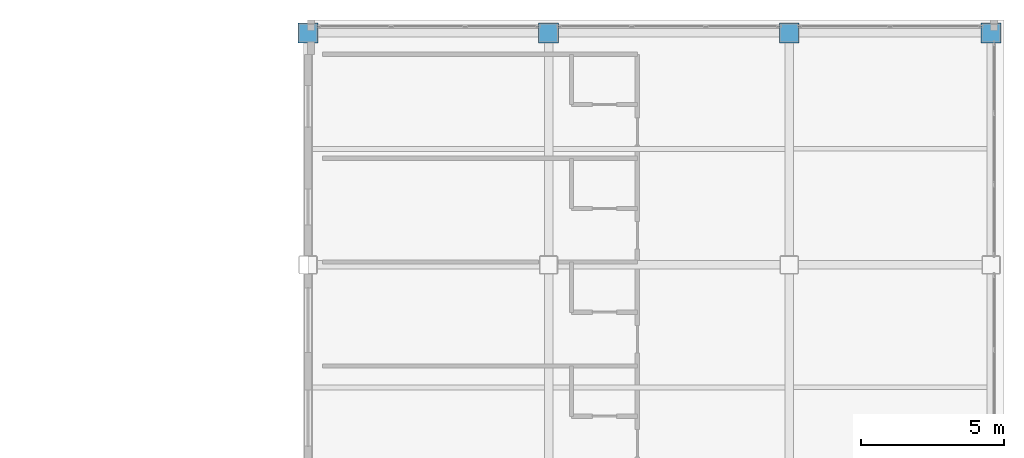
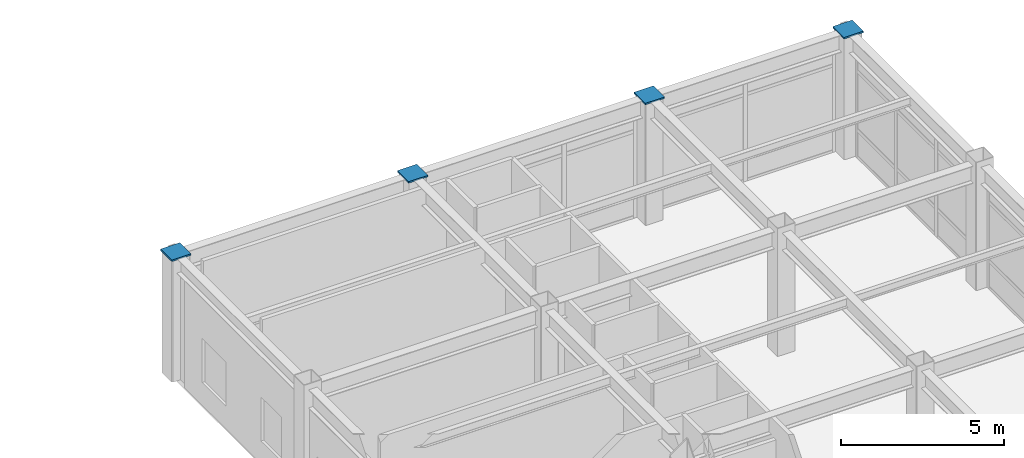
# One storey, part 57 of 61: 4 discrete accessories.
"""IFC4 building model written with IfcOpenShell, lengths in metres."""

from ifc_helpers import new_model, si_unit, direction, frame, origin, origin_2d, place, context, subcontext, project, spatial, rectangle, extrude, material, layer, layer_set, type_object, element, save


model = new_model("IFC4")

# Units and contexts
model_context = context("Model", 3, precision=1e-05, world=origin(), true_north=direction((0.0, 1.0)))
body_context = subcontext(model_context, "Body", "Model", "MODEL_VIEW")
ifc_project = project(units=[si_unit("LENGTHUNIT", "METRE"), si_unit("AREAUNIT", "SQUARE_METRE"), si_unit("VOLUMEUNIT", "CUBIC_METRE"), si_unit("PLANEANGLEUNIT", "RADIAN"), si_unit("MASSUNIT", "GRAM", prefix="KILO")], contexts=[model_context])

# Site, building, storey
site_placement = place(None, origin())
site = spatial("IfcSite", under=ifc_project, at=site_placement, CompositionType="ELEMENT")
building_placement = place(site_placement, origin())
building = spatial("IfcBuilding", under=site, at=building_placement, Name="Kazehara Bluff Congress Hotel", CompositionType="ELEMENT")
storey_placement = place(building_placement, frame((0.0, 0.0, 19.800048828125)))
storey = spatial("IfcBuildingStorey", under=building, at=storey_placement, Name="L04", CompositionType="ELEMENT", Elevation=19.800048828125)

# Discrete accessories
ifc_material = material(Name="Steel SN490B", Category="steel")
ifc_layer = layer(ifc_material, 0.06005859375)
ifc_layer_set = layer_set([ifc_layer], Name="Steel SN490B")
discrete_accessory_type = type_object("IfcDiscreteAccessoryType", Name="TP-CAP-BLK", PredefinedType="BRACKET", material=ifc_layer_set)
for number, where, z_axis, x_axis, name in (
    (1, (143.699951171875, 113.550048828125, 4.5498046875), (0.0, 0.0, 1.0), (1.0, 0.0, 0.0), "Hollow column welded cap plate L04 1128"),
    (2, (152.10009765625, 113.550048828125, 4.5498046875), (0.0, 0.0, 1.0), (1.0, 0.0, 0.0), "Hollow column welded cap plate L04 1142"),
    (3, (160.5, 113.550048828125, 4.5498046875), (0.0, 0.0, 1.0), (1.0, 0.0, 0.0), "Hollow column welded cap plate L04 1156"),
    (4, (167.550048828125, 113.550048828125, 4.5498046875), (0.0, 0.0, 1.0), (1.0, 0.0, 0.0), "Hollow column welded cap plate L04 1170"),
):
    element("IfcDiscreteAccessory", number, at=place(storey_placement, frame(where, z_axis=z_axis, x_axis=x_axis)), inside=storey, type_object=discrete_accessory_type, Name=name, PredefinedType="BRACKET", context=body_context, shape_type="SweptSolid", body=[
        extrude(rectangle(XDim=0.68994140625, YDim=0.68994140625, at=origin_2d()), origin(), (0.0, 0.0, 1.0), 0.06005859375),
    ])

save(model, "model.ifc")
